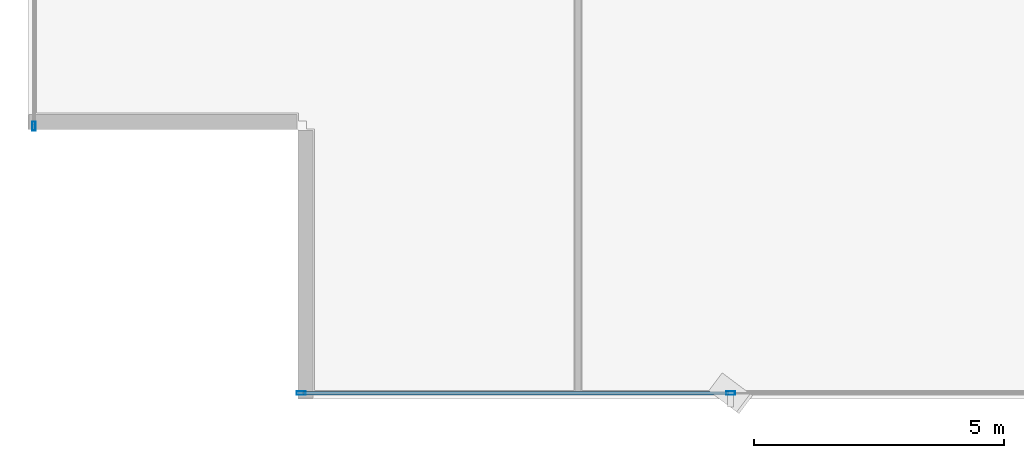
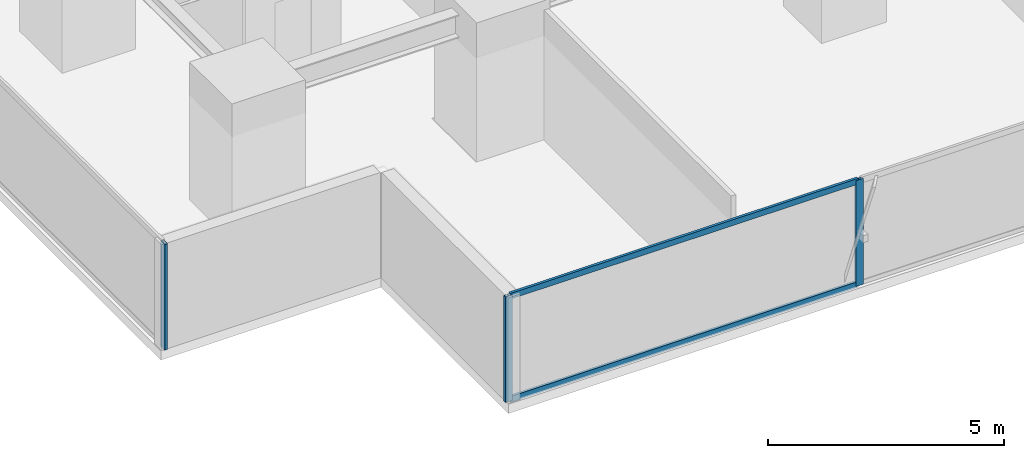
# One storey, part 2 of 33: 5 members, 2 elements without a shape of their own.
"""IFC4 building model written with IfcOpenShell, lengths in metres."""

from ifc_helpers import new_model, si_unit, direction, frame, origin, origin_2d, place, context, subcontext, project, spatial, hollow_rectangle, extrude, source, transform, mapped, material, layer, layer_set, material_profile, profile_set, type_object, element, aggregate, save


model = new_model("IFC4")

# Units and contexts
model_context = context("Model", 3, precision=1e-05, world=origin(), true_north=direction((0.0, 1.0)))
body_context = subcontext(model_context, "Body", "Model", "MODEL_VIEW")
ifc_project = project(units=[si_unit("LENGTHUNIT", "METRE"), si_unit("AREAUNIT", "SQUARE_METRE"), si_unit("VOLUMEUNIT", "CUBIC_METRE"), si_unit("PLANEANGLEUNIT", "RADIAN"), si_unit("MASSUNIT", "GRAM", prefix="KILO")], contexts=[model_context])

# Site, building, storey
site_placement = place(None, origin())
site = spatial("IfcSite", under=ifc_project, at=site_placement, CompositionType="ELEMENT")
building_placement = place(site_placement, origin())
building = spatial("IfcBuilding", under=site, at=building_placement, Name="Sumidabori Civic Tower", CompositionType="ELEMENT")
storey_placement = place(building_placement, frame((0.0, 0.0, 30.800048828125)))
storey = spatial("IfcBuildingStorey", under=building, at=storey_placement, Name="L07", CompositionType="ELEMENT", Elevation=30.800048828125)

# Curtain wall, members
ifc_material = material(Name="Anodised Bronze Aluminium AW-6063-T6", Category="aluminium")
ifc_layer = layer(ifc_material, 0.179931640625, Name="Anodised Bronze Aluminium AW-6063-T6")
ifc_layer_set = layer_set([ifc_layer], Name="Anodised Bronze Aluminium AW-6063-T6")
curtain_wall_type = type_object("IfcCurtainWallType", Name="CW-SYS-2", PredefinedType="NOTDEFINED", material=ifc_layer_set)
curtain_wall_1_placement = place(storey_placement, origin())
curtain_wall_1 = element("IfcCurtainWall", 1, at=curtain_wall_1_placement, inside=storey, type_object=curtain_wall_type, Name="Curtain Wall CW:L07:R01", PredefinedType="NOTDEFINED")
ifc_material_profile_1 = material_profile(ifc_material, hollow_rectangle(XDim=0.070068359375, YDim=0.179931640625, WallThickness=0.006103515625, at=origin_2d()), Name="ALU MULLION 180x70")
ifc_profile_set_1 = profile_set([ifc_material_profile_1], Name="Anodised Bronze Aluminium AW-6063-T6")
member_type_1 = type_object("IfcMemberType", Name="CW-MUL-180", PredefinedType="MULLION", material=ifc_profile_set_1)
shared_shape_1 = source(origin(), body_context, "Body", "SweptSolid", [
    extrude(hollow_rectangle(XDim=0.070068359375, YDim=0.179931640625, WallThickness=0.006103515625, at=origin_2d()), origin(), (0.0, 0.0, 1.0), 2.739990234375),
])
member_1_placement = place(storey_placement, frame((-21.534912109375, -26.8798828125, 0.0), z_axis=(0.0, 0.0, 1.0), x_axis=(0.0, 1.0, 0.0)))
member_1 = element("IfcMember", 2, at=member_1_placement, type_object=member_type_1, Name="CW-2 mullion 1", PredefinedType="MULLION", context=body_context, shape_type="MappedRepresentation", body=[
    mapped(shared_shape_1, transform((0.0, 0.0, 0.0), x_axis=(1.0, 0.0, 0.0), y_axis=(0.0, 1.0, 0.0), z_axis=(0.0, 0.0, 1.0), scale=1.0)),
])
member_2_placement = place(storey_placement, frame((-12.94189453125, -26.8798828125, 0.0), z_axis=(0.0, 0.0, 1.0), x_axis=(0.0, 1.0, 0.0)))
member_2 = element("IfcMember", 3, at=member_2_placement, type_object=member_type_1, Name="CW-2 mullion 2", PredefinedType="MULLION", context=body_context, shape_type="MappedRepresentation", body=[
    mapped(shared_shape_1, transform((0.0, 0.0, 0.0), x_axis=(1.0, 0.0, 0.0), y_axis=(0.0, 1.0, 0.0), z_axis=(0.0, 0.0, 1.0), scale=1.0)),
])

# Curtain wall, member
curtain_wall_2_placement = place(storey_placement, origin())
curtain_wall_2 = element("IfcCurtainWall", 4, at=curtain_wall_2_placement, inside=storey, type_object=curtain_wall_type, Name="Curtain Wall CW:L07:R10", PredefinedType="NOTDEFINED")
member_3_placement = place(storey_placement, frame((-26.8798828125, -21.534912109375, 0.0), z_axis=(0.0, 0.0, 1.0), x_axis=(1.0, 0.0, 0.0)))
member_3 = element("IfcMember", 5, at=member_3_placement, type_object=member_type_1, Name="CW-2 mullion 6", PredefinedType="MULLION", context=body_context, shape_type="MappedRepresentation", body=[
    mapped(shared_shape_1, transform((0.0, 0.0, 0.0), x_axis=(1.0, 0.0, 0.0), y_axis=(0.0, 1.0, 0.0), z_axis=(0.0, 0.0, 1.0), scale=1.0)),
])
aggregate(curtain_wall_2, [member_3])

# Member
ifc_material_profile_2 = material_profile(ifc_material, hollow_rectangle(XDim=0.06494140625, YDim=0.14990234375, WallThickness=0.0048828125, at=origin_2d()), Name="ALU TRANSOM 150x65")
ifc_profile_set_2 = profile_set([ifc_material_profile_2], Name="Anodised Bronze Aluminium AW-6063-T6")
member_type_2 = type_object("IfcMemberType", Name="CW-TRN-150", PredefinedType="USERDEFINED", material=ifc_profile_set_2)
shared_shape_2 = source(origin(), body_context, "Body", "SweptSolid", [
    extrude(hollow_rectangle(XDim=0.06494140625, YDim=0.14990234375, WallThickness=0.0048828125, at=origin_2d()), origin(), (0.0, 0.0, 1.0), 8.52294921875),
])
member_4_placement = place(storey_placement, frame((-21.5, -26.8798828125, 0.032470703125), z_axis=(1.0, 0.0, 0.0), x_axis=(0.0, 1.0, 0.0)))
member_4 = element("IfcMember", 6, at=member_4_placement, type_object=member_type_2, Name="CW-2 transom 1.1", ObjectType="TRANSOM", PredefinedType="USERDEFINED", context=body_context, shape_type="MappedRepresentation", body=[
    mapped(shared_shape_2, transform((0.0, 0.0, 0.0), x_axis=(1.0, 0.0, 0.0), y_axis=(0.0, 1.0, 0.0), z_axis=(0.0, 0.0, 1.0), scale=1.0)),
])

member_5_placement = place(storey_placement, frame((-21.5, -26.8798828125, 2.70751953125), z_axis=(1.0, 0.0, 0.0), x_axis=(0.0, 1.0, 0.0)))
member_5 = element("IfcMember", 7, at=member_5_placement, type_object=member_type_2, Name="CW-2 transom 1.2", ObjectType="TRANSOM", PredefinedType="USERDEFINED", context=body_context, shape_type="MappedRepresentation", body=[
    mapped(shared_shape_2, transform((0.0, 0.0, 0.0), x_axis=(1.0, 0.0, 0.0), y_axis=(0.0, 1.0, 0.0), z_axis=(0.0, 0.0, 1.0), scale=1.0)),
])

aggregate(curtain_wall_1, [member_1, member_2, member_4, member_5])

save(model, "model.ifc")
